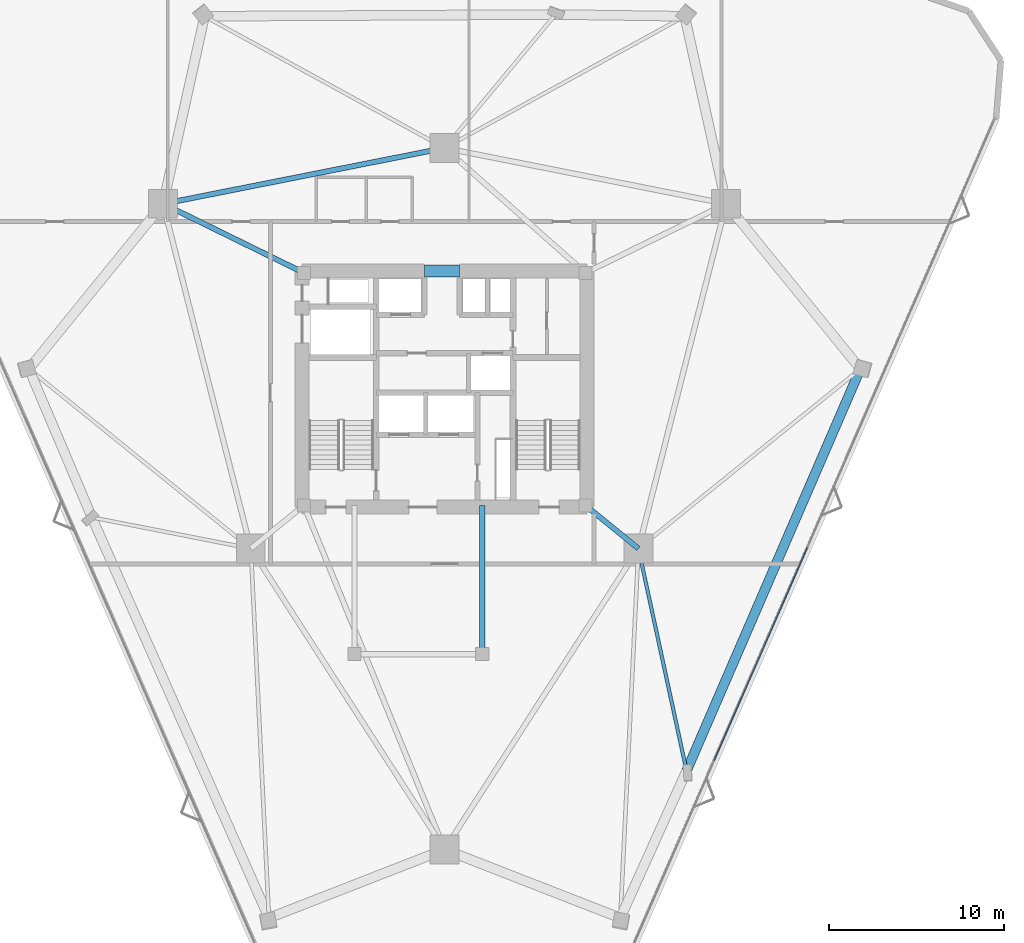
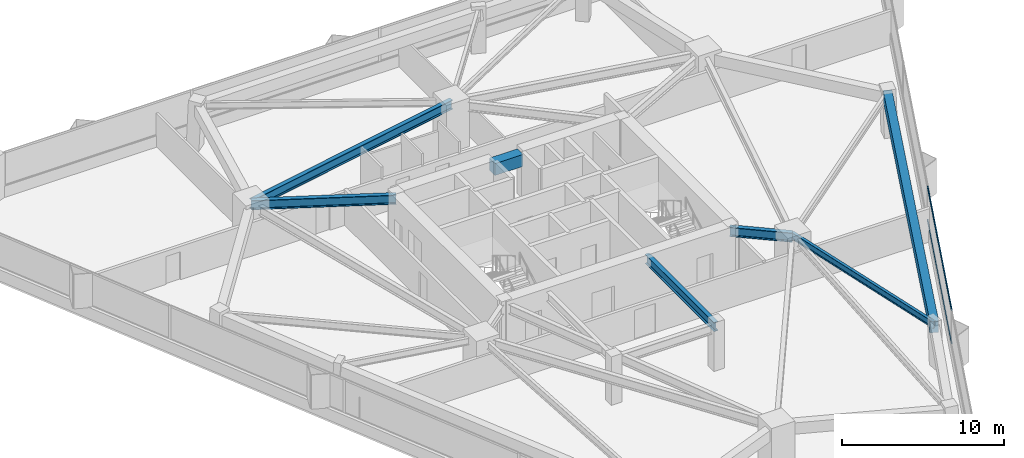
# One storey, part 8 of 19: 7 beams, 2 members, 1 element without a shape of its own.
"""IFC4 building model written with IfcOpenShell, lengths in metres."""

from ifc_helpers import new_model, si_unit, direction, frame, origin, origin_2d, place, context, subcontext, project, spatial, rectangle, i_section, extrude, material, layer, layer_set, material_profile, profile_set, type_object, element, aggregate, save


model = new_model("IFC4")

# Units and contexts
model_context = context("Model", 3, precision=1e-05, world=origin(), true_north=direction((0.0, 1.0)))
body_context = subcontext(model_context, "Body", "Model", "MODEL_VIEW")
ifc_project = project(units=[si_unit("LENGTHUNIT", "METRE"), si_unit("AREAUNIT", "SQUARE_METRE"), si_unit("VOLUMEUNIT", "CUBIC_METRE"), si_unit("PLANEANGLEUNIT", "RADIAN"), si_unit("MASSUNIT", "GRAM", prefix="KILO")], contexts=[model_context])

# Site, building, storey
site_placement = place(None, origin())
site = spatial("IfcSite", under=ifc_project, at=site_placement, CompositionType="ELEMENT")
building_placement = place(site_placement, origin())
building = spatial("IfcBuilding", under=site, at=building_placement, Name="Talyreon Biosciences Tower", CompositionType="ELEMENT")
storey_placement = place(building_placement, frame((0.0, 0.0, 85.949951171875)))
storey = spatial("IfcBuildingStorey", under=building, at=storey_placement, Name="L22", CompositionType="ELEMENT", Elevation=85.949951171875)

# Curtain wall, members
ifc_material_1 = material(Name="Thermally broken aluminium and low-E glazing", Category="aluminium")
ifc_layer = layer(ifc_material_1, 0.18994140625)
ifc_layer_set = layer_set([ifc_layer], Name="Thermally broken aluminium and low-E glazing")
curtain_wall_type = type_object("IfcCurtainWallType", Name="CurtainWall_Zone2Genomics", PredefinedType="NOTDEFINED", material=ifc_layer_set)
curtain_wall_placement = place(storey_placement, origin())
curtain_wall = element("IfcCurtainWall", 1, at=curtain_wall_placement, inside=storey, type_object=curtain_wall_type, Name="L22 Unitised Curtain Wall FCW-L22-08", PredefinedType="NOTDEFINED")
ifc_material_2 = material(Name="Anodised thermally broken aluminium", Category="aluminium")
ifc_material_profile_1 = material_profile(ifc_material_2, rectangle(XDim=0.06494140625, YDim=0.139892578125, at=origin_2d()), Name="ALUM TRANSOM 65x140")
ifc_profile_set_1 = profile_set([ifc_material_profile_1], Name="Anodised thermally broken aluminium")
member_type = type_object("IfcMemberType", Name="CWTransom_65x140", PredefinedType="USERDEFINED", material=ifc_profile_set_1)
member_1_placement = place(storey_placement, frame((86.748779296875, 58.94091796875, 0.842529296875), z_axis=(-0.400681171348, -0.91621755, 0.0), x_axis=(0.91621755, -0.400681171348, 0.0)))
member_1 = element("IfcMember", 2, at=member_1_placement, type_object=member_type, Name="CW3 transom 3.1", ObjectType="TRANSOM", PredefinedType="USERDEFINED", context=body_context, shape_type="SweptSolid", body=[
    extrude(rectangle(XDim=0.06494140625, YDim=0.139892578125, at=origin_2d()), origin(), (0.0, 0.0, 1.0), 13.304443359375),
])
member_2_placement = place(storey_placement, frame((86.748779296875, 58.94091796875, 3.342529296875), z_axis=(-0.400681171348, -0.91621755, 0.0), x_axis=(0.91621755, -0.400681171348, 0.0)))
member_2 = element("IfcMember", 3, at=member_2_placement, type_object=member_type, Name="CW3 transom 3.2", ObjectType="TRANSOM", PredefinedType="USERDEFINED", context=body_context, shape_type="SweptSolid", body=[
    extrude(rectangle(XDim=0.06494140625, YDim=0.139892578125, at=origin_2d()), origin(), (0.0, 0.0, 1.0), 13.304443359375),
])
aggregate(curtain_wall, [member_1, member_2])

# Beams
ifc_material_3 = material(Name="Concrete C60/75", Category="concrete")
ifc_material_profile_2 = material_profile(ifc_material_3, rectangle(XDim=0.699951171875, YDim=0.89990234375, at=origin_2d()), Name="RCB 700x900")
ifc_profile_set_2 = profile_set([ifc_material_profile_2], Name="Concrete C60/75")
beam_type_1 = type_object("IfcBeamType", Name="CoreCouplingLintel_700x900", PredefinedType="LINTEL", material=ifc_profile_set_2)
beam_1_placement = place(storey_placement, frame((64.85009765625, 74.75, 2.925048828125), z_axis=(1.0, 0.0, 0.0), x_axis=(0.0, 1.0, 0.0)))
element("IfcBeam", 4, at=beam_1_placement, inside=storey, type_object=beam_type_1, Name="L22 Core Coupling Lintel", PredefinedType="LINTEL", context=body_context, shape_type="SweptSolid", body=[
    extrude(rectangle(XDim=0.699951171875, YDim=0.89990234375, at=origin_2d()), origin(), (0.0, 0.0, 1.0), 2.0),
])
ifc_material_4 = material(Name="Precast concrete C45/55", Category="concrete")
ifc_material_profile_3 = material_profile(ifc_material_4, rectangle(XDim=0.550048828125, YDim=0.85009765625, at=origin_2d()), Name="RCB 550x850")
ifc_profile_set_3 = profile_set([ifc_material_profile_3], Name="Precast concrete C45/55")
beam_type_2 = type_object("IfcBeamType", Name="ExpressedSpandrel_550x850", PredefinedType="SPANDREL", material=ifc_profile_set_3)
beam_2_placement = place(storey_placement, frame((79.83740234375, 46.16455078125, 2.949951171875), z_axis=(0.396934229038, 0.917847055788, 0.0), x_axis=(-0.917847055788, 0.396934229038, 0.0)))
element("IfcBeam", 5, at=beam_2_placement, inside=storey, type_object=beam_type_2, Name="L22 Expressed Horizontal Concrete Spandrel 03", PredefinedType="SPANDREL", context=body_context, shape_type="SweptSolid", body=[
    extrude(rectangle(XDim=0.550048828125, YDim=0.85009765625, at=origin_2d()), origin(), (0.0, 0.0, 1.0), 25.05029296875),
])
ifc_material_5 = material(Name="Steel SM355", Category="steel")
ifc_material_profile_4 = material_profile(ifc_material_5, i_section(OverallWidth=0.300048828125, OverallDepth=0.699951171875, WebThickness=0.01708984375, FlangeThickness=0.031982421875, FilletRadius=0.027099609375, at=origin_2d()), Name="HE700B")
ifc_profile_set_4 = profile_set([ifc_material_profile_4], Name="Steel SM355")
beam_type_3 = type_object("IfcBeamType", Name="SteelGirder_HE700B", PredefinedType="BEAM", material=ifc_profile_set_4)
beam_3_placement = place(storey_placement, frame((66.0, 81.788818359375, 3.025146484375), z_axis=(-0.980933730698, -0.194342522311, 0.0), x_axis=(0.194342522311, -0.980933730698, 0.0)))
element("IfcBeam", 6, at=beam_3_placement, inside=storey, type_object=beam_type_3, Name="L22 Mega-Ring Girder 4", PredefinedType="BEAM", context=body_context, shape_type="SweptSolid", body=[
    extrude(i_section(OverallWidth=0.300048828125, OverallDepth=0.699951171875, WebThickness=0.01708984375, FlangeThickness=0.031982421875, FilletRadius=0.027099609375, at=origin_2d()), origin(), (0.0, 0.0, 1.0), 16.415283203125),
])
beam_4_placement = place(storey_placement, frame((74.050048828125, 61.35009765625, 3.025146484375), z_axis=(0.775755154013, -0.631034025249, 0.0), x_axis=(0.631034025249, 0.775755154013, 0.0)))
element("IfcBeam", 7, at=beam_4_placement, inside=storey, type_object=beam_type_3, Name="L22 Radial Primary Girder 2", PredefinedType="BEAM", context=body_context, shape_type="SweptSolid", body=[
    extrude(i_section(OverallWidth=0.300048828125, OverallDepth=0.699951171875, WebThickness=0.01708984375, FlangeThickness=0.031982421875, FilletRadius=0.027099609375, at=origin_2d()), origin(), (0.0, 0.0, 1.0), 3.913818359375),
])
beam_5_placement = place(storey_placement, frame((57.949951171875, 74.64990234375, 3.025146484375), z_axis=(-0.897852360314, 0.440296648952, 0.0), x_axis=(-0.440296648952, -0.897852360314, 0.0)))
element("IfcBeam", 8, at=beam_5_placement, inside=storey, type_object=beam_type_3, Name="L22 Radial Primary Girder 5", PredefinedType="BEAM", context=body_context, shape_type="SweptSolid", body=[
    extrude(i_section(OverallWidth=0.300048828125, OverallDepth=0.699951171875, WebThickness=0.01708984375, FlangeThickness=0.031982421875, FilletRadius=0.027099609375, at=origin_2d()), origin(), (0.0, 0.0, 1.0), 8.96826171875),
])
beam_6_placement = place(storey_placement, frame((68.14990234375, 52.840087890625, 3.025146484375), z_axis=(0.0, 1.0, 0.0), x_axis=(-1.0, 0.0, 0.0)))
element("IfcBeam", 9, at=beam_6_placement, inside=storey, type_object=beam_type_3, Name="L22 Crown Shaft Tie Girder E", PredefinedType="BEAM", context=body_context, shape_type="SweptSolid", body=[
    extrude(i_section(OverallWidth=0.300048828125, OverallDepth=0.699951171875, WebThickness=0.01708984375, FlangeThickness=0.031982421875, FilletRadius=0.027099609375, at=origin_2d()), origin(), (0.0, 0.0, 1.0), 8.510009765625),
])
ifc_material_profile_5 = material_profile(ifc_material_5, i_section(OverallWidth=0.199951171875, OverallDepth=0.5, WebThickness=0.01025390625, FlangeThickness=0.01611328125, FilletRadius=0.02099609375, at=origin_2d()), Name="IPE500")
ifc_profile_set_5 = profile_set([ifc_material_profile_5], Name="Steel SM355")
beam_type_4 = type_object("IfcBeamType", Name="SteelJoist_IPE500", PredefinedType="JOIST", material=ifc_profile_set_5)
beam_7_placement = place(storey_placement, frame((77.086181640625, 58.88037109375, 3.125), z_axis=(0.211468942177, -0.977384717752, 0.0), x_axis=(0.977384717752, 0.211468942177, 0.0)))
element("IfcBeam", 10, at=beam_7_placement, inside=storey, type_object=beam_type_4, Name="L22 Radial Composite Floor Joist PL-SE", PredefinedType="JOIST", context=body_context, shape_type="SweptSolid", body=[
    extrude(i_section(OverallWidth=0.199951171875, OverallDepth=0.5, WebThickness=0.01025390625, FlangeThickness=0.01611328125, FilletRadius=0.02099609375, at=origin_2d()), origin(), (0.0, 0.0, 1.0), 13.010009765625),
])

save(model, "model.ifc")
